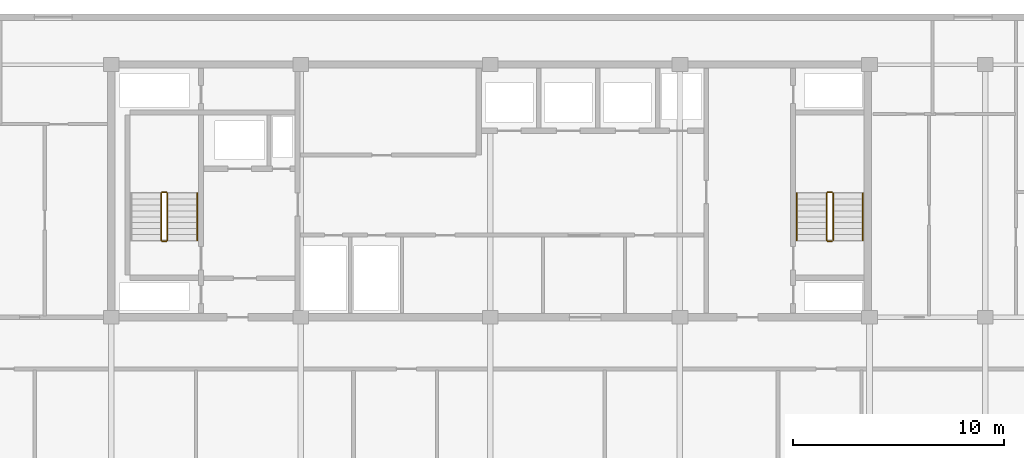
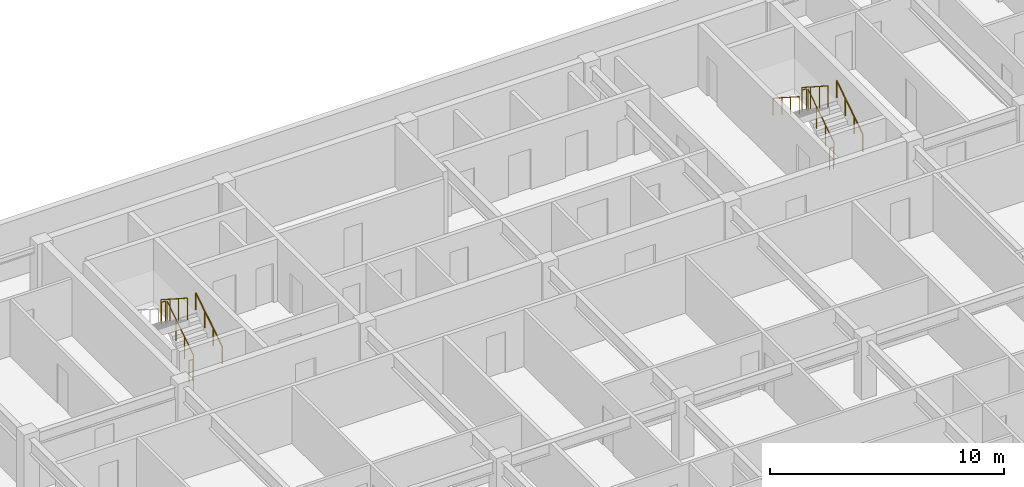
# One storey, part 20 of 23: 11 railings.
"""IFC4 building model written with IfcOpenShell, lengths in metres."""

from ifc_helpers import new_model, si_unit, direction, frame, origin, origin_2d, place, context, subcontext, project, spatial, circle, extrude, material, type_object, element, save


model = new_model("IFC4")

# Units and contexts
model_context = context("Model", 3, precision=1e-05, world=origin(), true_north=direction((0.0, 1.0)))
body_context = subcontext(model_context, "Body", "Model", "MODEL_VIEW")
ifc_project = project(units=[si_unit("LENGTHUNIT", "METRE"), si_unit("AREAUNIT", "SQUARE_METRE"), si_unit("VOLUMEUNIT", "CUBIC_METRE"), si_unit("PLANEANGLEUNIT", "RADIAN"), si_unit("MASSUNIT", "GRAM", prefix="KILO")], contexts=[model_context])

# Site, building, storey
site_placement = place(None, origin())
site = spatial("IfcSite", under=ifc_project, at=site_placement, CompositionType="ELEMENT")
building_placement = place(site_placement, origin())
building = spatial("IfcBuilding", under=site, at=building_placement, Name="Korimba Cascade Residences", CompositionType="ELEMENT")
storey_placement = place(building_placement, frame((0.0, 0.0, 165.35009765625)))
storey = spatial("IfcBuildingStorey", under=building, at=storey_placement, Name="L47", CompositionType="ELEMENT", Elevation=165.35009765625)

# Railings
ifc_material_1 = material(Name="Painted Steel Stairwell Guardrail", Category="steel")
railing_type_1 = type_object("IfcRailingType", Name="RLG-ST-GD1150", PredefinedType="GUARDRAIL", material=ifc_material_1)
railing_1_placement = place(storey_placement, frame((84.77001953125, 22.050048828125, 0.180419921875)))
element("IfcRailing", 1, at=railing_1_placement, inside=storey, type_object=railing_type_1, Name="L47 ST-E1 stair guard 1", PredefinedType="GUARDRAIL", context=body_context, shape_type="SweptSolid", body=[
    extrude(circle(Radius=0.02392578125, at=origin_2d()), frame((0.0, 0.0, 1.1259765625), z_axis=(0.0, 0.840394893359, 0.541974559565), x_axis=(-1.0, 0.0, 0.0)), (0.0, 0.0, 1.0), 2.665283203125),
    extrude(circle(Radius=0.02099609375, at=origin_2d()), origin(), (0.0, 0.0, 1.0), 1.101806640625),
    extrude(circle(Radius=0.02099609375, at=origin_2d()), frame((0.0, 0.74658203125, 0.4814453125)), (0.0, 0.0, 1.0), 1.101806640625),
    extrude(circle(Radius=0.02099609375, at=origin_2d()), frame((0.0, 1.493408203125, 0.963134765625)), (0.0, 0.0, 1.0), 1.101806640625),
    extrude(circle(Radius=0.02099609375, at=origin_2d()), frame((0.0, 2.239990234375, 1.444580078125)), (0.0, 0.0, 1.0), 1.101806640625),
])
railing_2_placement = place(storey_placement, frame((84.719970703125, 24.340087890625, 1.625)))
element("IfcRailing", 2, at=railing_2_placement, inside=storey, type_object=railing_type_1, Name="L47 ST-E1 stair guard 2", PredefinedType="GUARDRAIL", context=body_context, shape_type="SweptSolid", body=[
    extrude(circle(Radius=0.02392578125, at=origin_2d()), frame((0.0, 0.0, 1.1259765625), z_axis=(-1.0, 0.0, 0.0), x_axis=(0.0, -1.0, 0.0)), (0.0, 0.0, 1.0), 0.199951171875),
    extrude(circle(Radius=0.02099609375, at=origin_2d()), origin(), (0.0, 0.0, 1.0), 1.101806640625),
    extrude(circle(Radius=0.02099609375, at=origin_2d()), frame((-0.199951171875, 0.0, 0.0)), (0.0, 0.0, 1.0), 1.101806640625),
])
railing_3_placement = place(storey_placement, frame((84.469970703125, 24.2900390625, 1.805419921875)))
element("IfcRailing", 3, at=railing_3_placement, inside=storey, type_object=railing_type_1, Name="L47 ST-E1 stair guard 3", PredefinedType="GUARDRAIL", context=body_context, shape_type="SweptSolid", body=[
    extrude(circle(Radius=0.02392578125, at=origin_2d()), frame((0.0, 0.0, 1.1259765625), z_axis=(0.0, -0.840394893359, 0.541974559565), x_axis=(1.0, 0.0, 0.0)), (0.0, 0.0, 1.0), 2.665283203125),
    extrude(circle(Radius=0.02099609375, at=origin_2d()), origin(), (0.0, 0.0, 1.0), 1.101806640625),
    extrude(circle(Radius=0.02099609375, at=origin_2d()), frame((0.0, -0.74658203125, 0.4814453125)), (0.0, 0.0, 1.0), 1.101806640625),
    extrude(circle(Radius=0.02099609375, at=origin_2d()), frame((0.0, -1.493408203125, 0.963134765625)), (0.0, 0.0, 1.0), 1.101806640625),
    extrude(circle(Radius=0.02099609375, at=origin_2d()), frame((0.0, -2.239990234375, 1.444580078125)), (0.0, 0.0, 1.0), 1.101806640625),
])
railing_4_placement = place(storey_placement, frame((84.719970703125, 22.0, 0.0)))
element("IfcRailing", 4, at=railing_4_placement, inside=storey, type_object=railing_type_1, Name="L47 ST-E1 stair guard 4", PredefinedType="GUARDRAIL", context=body_context, shape_type="SweptSolid", body=[
    extrude(circle(Radius=0.02392578125, at=origin_2d()), frame((0.0, 0.0, 1.1259765625), z_axis=(-1.0, 0.0, 0.0), x_axis=(0.0, -1.0, 0.0)), (0.0, 0.0, 1.0), 0.199951171875),
    extrude(circle(Radius=0.02099609375, at=origin_2d()), origin(), (0.0, 0.0, 1.0), 1.101806640625),
    extrude(circle(Radius=0.02099609375, at=origin_2d()), frame((-0.199951171875, 0.0, 0.0)), (0.0, 0.0, 1.0), 1.101806640625),
])
railing_5_placement = place(storey_placement, frame((116.3701171875, 22.050048828125, 0.180419921875)))
element("IfcRailing", 5, at=railing_5_placement, inside=storey, type_object=railing_type_1, Name="L47 ST-E2 stair guard 1", PredefinedType="GUARDRAIL", context=body_context, shape_type="SweptSolid", body=[
    extrude(circle(Radius=0.02392578125, at=origin_2d()), frame((0.0, 0.0, 1.1259765625), z_axis=(0.0, 0.840394893359, 0.541974559565), x_axis=(-1.0, 0.0, 0.0)), (0.0, 0.0, 1.0), 2.665283203125),
    extrude(circle(Radius=0.02099609375, at=origin_2d()), origin(), (0.0, 0.0, 1.0), 1.101806640625),
    extrude(circle(Radius=0.02099609375, at=origin_2d()), frame((0.0, 0.74658203125, 0.4814453125)), (0.0, 0.0, 1.0), 1.101806640625),
    extrude(circle(Radius=0.02099609375, at=origin_2d()), frame((0.0, 1.493408203125, 0.963134765625)), (0.0, 0.0, 1.0), 1.101806640625),
    extrude(circle(Radius=0.02099609375, at=origin_2d()), frame((0.0, 2.239990234375, 1.444580078125)), (0.0, 0.0, 1.0), 1.101806640625),
])
railing_6_placement = place(storey_placement, frame((116.320068359375, 24.340087890625, 1.625)))
element("IfcRailing", 6, at=railing_6_placement, inside=storey, type_object=railing_type_1, Name="L47 ST-E2 stair guard 2", PredefinedType="GUARDRAIL", context=body_context, shape_type="SweptSolid", body=[
    extrude(circle(Radius=0.02392578125, at=origin_2d()), frame((0.0, 0.0, 1.1259765625), z_axis=(-1.0, 0.0, 0.0), x_axis=(0.0, -1.0, 0.0)), (0.0, 0.0, 1.0), 0.199951171875),
    extrude(circle(Radius=0.02099609375, at=origin_2d()), origin(), (0.0, 0.0, 1.0), 1.101806640625),
    extrude(circle(Radius=0.02099609375, at=origin_2d()), frame((-0.199951171875, 0.0, 0.0)), (0.0, 0.0, 1.0), 1.101806640625),
])
railing_7_placement = place(storey_placement, frame((116.070068359375, 24.2900390625, 1.805419921875)))
element("IfcRailing", 7, at=railing_7_placement, inside=storey, type_object=railing_type_1, Name="L47 ST-E2 stair guard 3", PredefinedType="GUARDRAIL", context=body_context, shape_type="SweptSolid", body=[
    extrude(circle(Radius=0.02392578125, at=origin_2d()), frame((0.0, 0.0, 1.1259765625), z_axis=(0.0, -0.840394893359, 0.541974559565), x_axis=(1.0, 0.0, 0.0)), (0.0, 0.0, 1.0), 2.665283203125),
    extrude(circle(Radius=0.02099609375, at=origin_2d()), origin(), (0.0, 0.0, 1.0), 1.101806640625),
    extrude(circle(Radius=0.02099609375, at=origin_2d()), frame((0.0, -0.74658203125, 0.4814453125)), (0.0, 0.0, 1.0), 1.101806640625),
    extrude(circle(Radius=0.02099609375, at=origin_2d()), frame((0.0, -1.493408203125, 0.963134765625)), (0.0, 0.0, 1.0), 1.101806640625),
    extrude(circle(Radius=0.02099609375, at=origin_2d()), frame((0.0, -2.239990234375, 1.444580078125)), (0.0, 0.0, 1.0), 1.101806640625),
])
railing_8_placement = place(storey_placement, frame((116.320068359375, 22.0, 0.0)))
element("IfcRailing", 8, at=railing_8_placement, inside=storey, type_object=railing_type_1, Name="L47 ST-E2 stair guard 4", PredefinedType="GUARDRAIL", context=body_context, shape_type="SweptSolid", body=[
    extrude(circle(Radius=0.02392578125, at=origin_2d()), frame((0.0, 0.0, 1.1259765625), z_axis=(-1.0, 0.0, 0.0), x_axis=(0.0, -1.0, 0.0)), (0.0, 0.0, 1.0), 0.199951171875),
    extrude(circle(Radius=0.02099609375, at=origin_2d()), origin(), (0.0, 0.0, 1.0), 1.101806640625),
    extrude(circle(Radius=0.02099609375, at=origin_2d()), frame((-0.199951171875, 0.0, 0.0)), (0.0, 0.0, 1.0), 1.101806640625),
])
ifc_material_2 = material(Name="Brushed Stainless Steel Handrail", Category="steel")
railing_type_2 = type_object("IfcRailingType", Name="RLG-ST-HR900", PredefinedType="HANDRAIL", material=ifc_material_2)
for number, where, name in (
    (9, (86.18994140625, 22.050048828125, 0.36474609375), "L47 ST-E1 stair handrail 1"),
    (10, (117.7900390625, 22.050048828125, 0.36474609375), "L47 ST-E2 stair handrail 1"),
):
    element("IfcRailing", number, at=place(storey_placement, frame(where)), inside=storey, type_object=railing_type_2, Name=name, PredefinedType="HANDRAIL", context=body_context, shape_type="SweptSolid", body=[
        extrude(circle(Radius=0.02392578125, at=origin_2d()), frame((0.0, 0.0, 0.8759765625), z_axis=(0.0, 0.840394893359, 0.541974559565), x_axis=(-1.0, 0.0, 0.0)), (0.0, 0.0, 1.0), 2.665283203125),
        extrude(circle(Radius=0.02099609375, at=origin_2d()), origin(), (0.0, 0.0, 1.0), 0.851806640625),
        extrude(circle(Radius=0.02099609375, at=origin_2d()), frame((0.0, 0.74658203125, 0.4814453125)), (0.0, 0.0, 1.0), 0.851806640625),
        extrude(circle(Radius=0.02099609375, at=origin_2d()), frame((0.0, 1.493408203125, 0.963134765625)), (0.0, 0.0, 1.0), 0.851806640625),
        extrude(circle(Radius=0.02099609375, at=origin_2d()), frame((0.0, 2.239990234375, 1.444580078125)), (0.0, 0.0, 1.0), 0.851806640625),
    ])
railing_9_placement = place(storey_placement, frame((114.64990234375, 24.2900390625, 1.98974609375)))
element("IfcRailing", 11, at=railing_9_placement, inside=storey, type_object=railing_type_2, Name="L47 ST-E2 stair handrail 2", PredefinedType="HANDRAIL", context=body_context, shape_type="SweptSolid", body=[
    extrude(circle(Radius=0.02392578125, at=origin_2d()), frame((0.0, 0.0, 0.8759765625), z_axis=(0.0, -0.840394893359, 0.541974559565), x_axis=(1.0, 0.0, 0.0)), (0.0, 0.0, 1.0), 2.665283203125),
    extrude(circle(Radius=0.02099609375, at=origin_2d()), origin(), (0.0, 0.0, 1.0), 0.851806640625),
    extrude(circle(Radius=0.02099609375, at=origin_2d()), frame((0.0, -0.74658203125, 0.4814453125)), (0.0, 0.0, 1.0), 0.851806640625),
    extrude(circle(Radius=0.02099609375, at=origin_2d()), frame((0.0, -1.493408203125, 0.963134765625)), (0.0, 0.0, 1.0), 0.851806640625),
    extrude(circle(Radius=0.02099609375, at=origin_2d()), frame((0.0, -2.239990234375, 1.444580078125)), (0.0, 0.0, 1.0), 0.851806640625),
])

save(model, "model.ifc")
